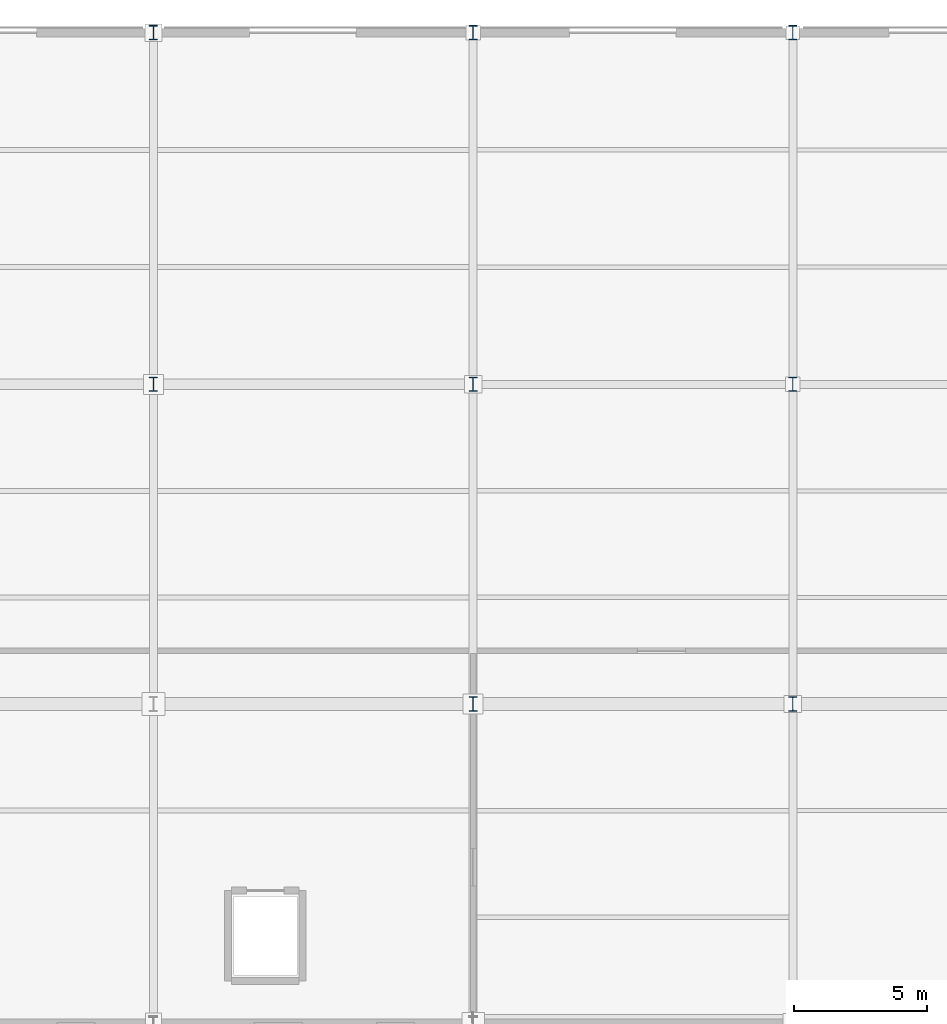
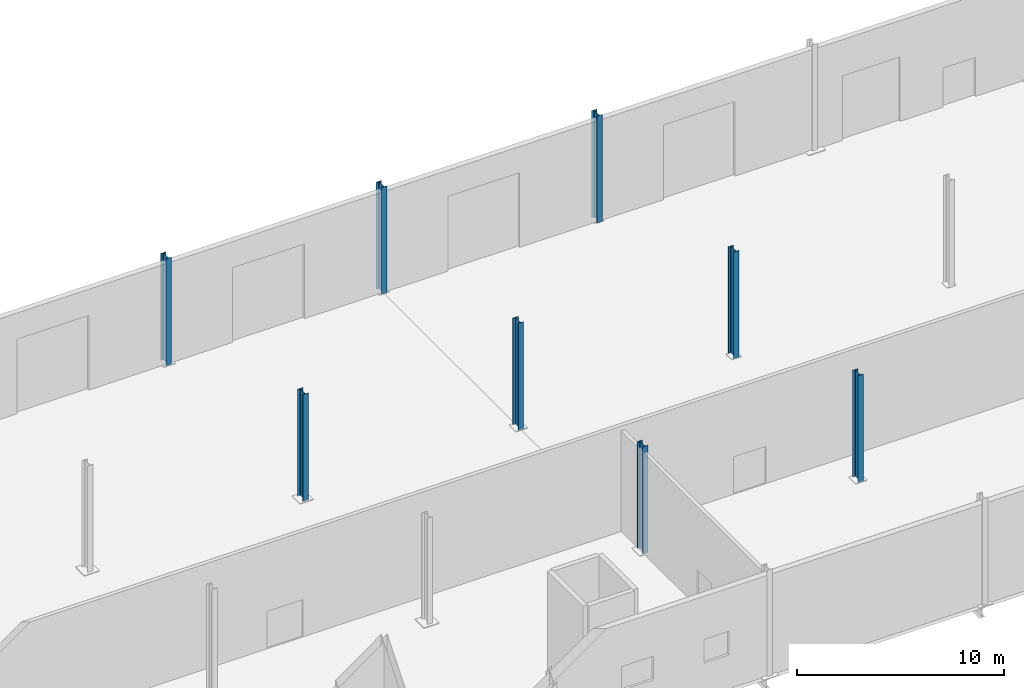
# One storey, part 16 of 196: 8 columns.
"""IFC4 building model written with IfcOpenShell, lengths in metres."""

from ifc_helpers import new_model, si_unit, direction, frame, origin, origin_2d, place, context, subcontext, project, spatial, i_section, extrude, material, material_profile, profile_set, type_object, element, save


model = new_model("IFC4")

# Units and contexts
model_context = context("Model", 3, precision=1e-05, world=origin(), true_north=direction((0.0, 1.0)))
body_context = subcontext(model_context, "Body", "Model", "MODEL_VIEW")
ifc_project = project(units=[si_unit("LENGTHUNIT", "METRE"), si_unit("AREAUNIT", "SQUARE_METRE"), si_unit("VOLUMEUNIT", "CUBIC_METRE"), si_unit("PLANEANGLEUNIT", "RADIAN"), si_unit("MASSUNIT", "GRAM", prefix="KILO")], contexts=[model_context])

# Site, building, storey
site_placement = place(None, origin())
site = spatial("IfcSite", under=ifc_project, at=site_placement, CompositionType="ELEMENT")
building_placement = place(site_placement, origin())
building = spatial("IfcBuilding", under=site, at=building_placement, Name="Merenkruunu Market Hall", CompositionType="ELEMENT")
storey_placement = place(building_placement, origin())
storey = spatial("IfcBuildingStorey", under=building, at=storey_placement, Name="L00", CompositionType="ELEMENT", Elevation=0.0)

# Columns
ifc_material = material(Name="Steel S355J2", Category="steel")
ifc_material_profile = material_profile(ifc_material, i_section(OverallWidth=0.300048828125, OverallDepth=0.5400390625, WebThickness=0.012451171875, FlangeThickness=0.02392578125, FilletRadius=0.027099609375, at=origin_2d()), Name="HEA 550")
ifc_profile_set = profile_set([ifc_material_profile], Name="Steel S355J2")
column_type = type_object("IfcColumnType", Name="Structural Column C06", PredefinedType="COLUMN", material=ifc_profile_set)
for number, where, z_axis, x_axis, name in (
    (1, (100.800048828125, 111.60009765625, 0.0), (0.0, 0.0, 1.0), (1.0, 0.0, 0.0), "COL-L00-L-12"),
    (2, (100.800048828125, 124.800048828125, 0.0), (0.0, 0.0, 1.0), (1.0, 0.0, 0.0), "COL-L00-L-13"),
    (3, (112.800048828125, 99.60009765625, 0.0), (0.0, 0.0, 1.0), (1.0, 0.0, 0.0), "COL-L00-M-11"),
    (4, (112.800048828125, 111.60009765625, 0.0), (0.0, 0.0, 1.0), (1.0, 0.0, 0.0), "COL-L00-M-12"),
    (5, (112.800048828125, 124.800048828125, 0.0), (0.0, 0.0, 1.0), (1.0, 0.0, 0.0), "COL-L00-M-13"),
    (6, (124.800048828125, 99.60009765625, 0.0), (0.0, 0.0, 1.0), (1.0, 0.0, 0.0), "COL-L00-N-11"),
    (7, (124.800048828125, 111.60009765625, 0.0), (0.0, 0.0, 1.0), (1.0, 0.0, 0.0), "COL-L00-N-12"),
    (8, (124.800048828125, 124.800048828125, 0.0), (0.0, 0.0, 1.0), (1.0, 0.0, 0.0), "COL-L00-N-13"),
):
    element("IfcColumn", number, at=place(storey_placement, frame(where, z_axis=z_axis, x_axis=x_axis)), inside=storey, type_object=column_type, Name=name, PredefinedType="COLUMN", context=body_context, shape_type="SweptSolid", body=[
        extrude(i_section(OverallWidth=0.300048828125, OverallDepth=0.5400390625, WebThickness=0.012451171875, FlangeThickness=0.02392578125, FilletRadius=0.027099609375, at=origin_2d()), origin(), (0.0, 0.0, 1.0), 6.300048828125),
    ])

save(model, "model.ifc")
